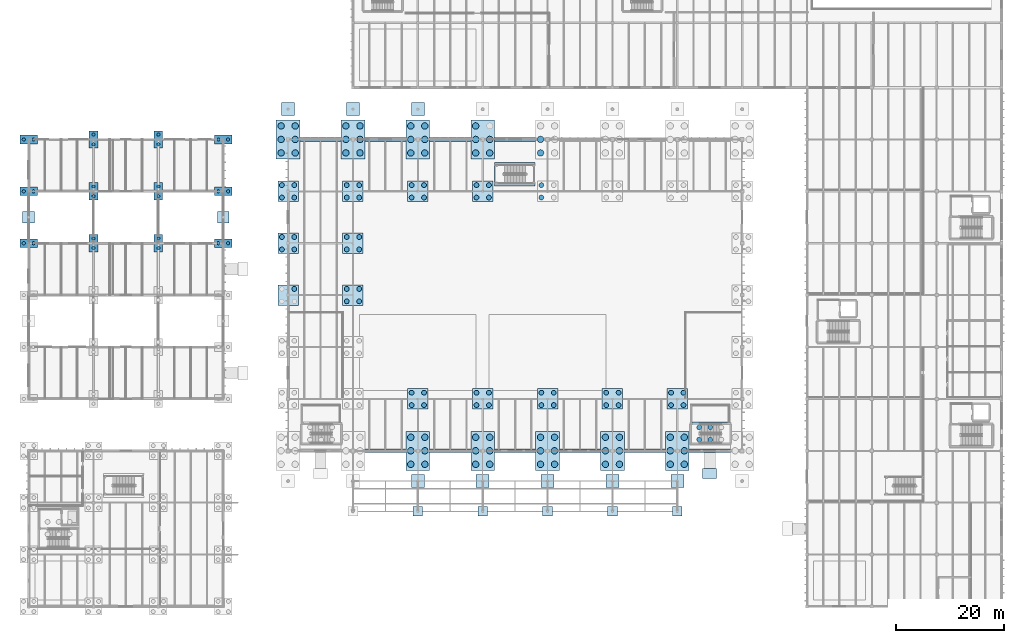
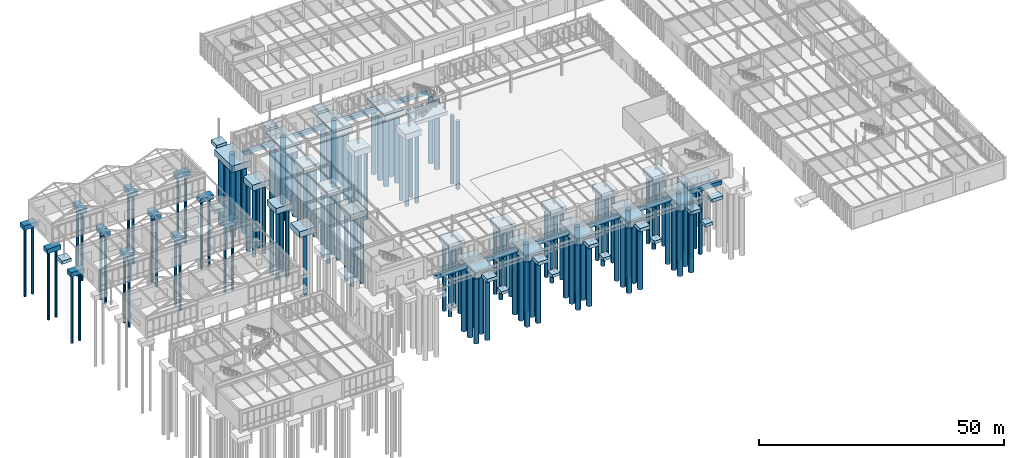
# One storey, part 2 of 188: 134 piles, 62 footings.
"""IFC4 building model written with IfcOpenShell, lengths in metres."""

from ifc_helpers import new_model, si_unit, direction, frame, origin, origin_2d, place, context, subcontext, project, spatial, rectangle, circle, extrude, material, material_profile, profile_set, type_object, element, save


model = new_model("IFC4")

# Units and contexts
model_context = context("Model", 3, precision=1e-05, world=origin(), true_north=direction((0.0, 1.0)))
body_context = subcontext(model_context, "Body", "Model", "MODEL_VIEW")
ifc_project = project(units=[si_unit("LENGTHUNIT", "METRE"), si_unit("AREAUNIT", "SQUARE_METRE"), si_unit("VOLUMEUNIT", "CUBIC_METRE"), si_unit("PLANEANGLEUNIT", "RADIAN"), si_unit("MASSUNIT", "GRAM", prefix="KILO")], contexts=[model_context])

# Site, building, storey
site_placement = place(None, origin())
site = spatial("IfcSite", under=ifc_project, at=site_placement, CompositionType="ELEMENT")
building_placement = place(site_placement, origin())
building = spatial("IfcBuilding", under=site, at=building_placement, Name="Pandanus Reach Market Hall", CompositionType="ELEMENT")
storey_placement = place(building_placement, origin())
storey = spatial("IfcBuildingStorey", under=building, at=storey_placement, Name="L00", CompositionType="ELEMENT", Elevation=0.0)

# Footings
ifc_material = material(Name="Concrete N40 (40 MPa)", Category="concrete")
footing_type_1 = type_object("IfcFootingType", Name="FB-03", PredefinedType="FOOTING_BEAM", material=ifc_material)
for number, where, z_axis, x_axis, name in (
    (1, (66.0, 28.800048828125, -1.25), (0.0, 0.0, 1.0), (1.0, 0.0, 0.0), "Ground tie beam FB-03 22"),
    (2, (78.0, 28.800048828125, -1.25), (0.0, 0.0, 1.0), (1.0, 0.0, 0.0), "Ground tie beam FB-03 23"),
    (3, (90.0, 28.800048828125, -1.25), (0.0, 0.0, 1.0), (1.0, 0.0, 0.0), "Ground tie beam FB-03 24"),
    (4, (102.0, 28.800048828125, -1.25), (0.0, 0.0, 1.0), (1.0, 0.0, 0.0), "Ground tie beam FB-03 25"),
    (5, (114.0, 28.800048828125, -1.25), (0.0, 0.0, 1.0), (1.0, 0.0, 0.0), "Ground tie beam FB-03 26"),
    (6, (126.0, 28.800048828125, -1.25), (0.0, 0.0, 1.0), (1.0, 0.0, 0.0), "Ground tie beam FB-03 27"),
    (7, (54.0, 86.39990234375, -1.25), (0.0, 0.0, 1.0), (1.0, 0.0, 0.0), "Ground tie beam FB-03 28"),
    (8, (66.0, 86.39990234375, -1.25), (0.0, 0.0, 1.0), (1.0, 0.0, 0.0), "Ground tie beam FB-03 29"),
    (9, (78.0, 86.39990234375, -1.25), (0.0, 0.0, 1.0), (1.0, 0.0, 0.0), "Ground tie beam FB-03 30"),
    (10, (90.0, 86.39990234375, -1.25), (0.0, 0.0, 1.0), (1.0, 0.0, 0.0), "Ground tie beam FB-03 31"),
):
    element("IfcFooting", number, at=place(storey_placement, frame(where, z_axis=z_axis, x_axis=x_axis)), inside=storey, type_object=footing_type_1, Name=name, PredefinedType="FOOTING_BEAM", context=body_context, shape_type="SweptSolid", body=[
        extrude(rectangle(XDim=7.60009765625, YDim=0.699951171875, at=origin_2d()), origin(), (0.0, 0.0, 1.0), 0.949951171875),
    ])
footing_type_2 = type_object("IfcFootingType", Name="PC-07", PredefinedType="PILE_CAP", material=ifc_material)
for number, where, z_axis, x_axis, name in (
    (11, (48.0, 86.39990234375, -1.900146484375), (0.0, 0.0, 1.0), (1.0, 0.0, 0.0), "Pile cap PC-07 at V1A-48-864"),
    (12, (60.0, 86.39990234375, -1.900146484375), (0.0, 0.0, 1.0), (1.0, 0.0, 0.0), "Pile cap PC-07 at V1A-60-864"),
    (13, (72.0, 28.800048828125, -1.900146484375), (0.0, 0.0, 1.0), (1.0, 0.0, 0.0), "Pile cap PC-07 at V1A-72-288"),
    (14, (72.0, 86.39990234375, -1.900146484375), (0.0, 0.0, 1.0), (1.0, 0.0, 0.0), "Pile cap PC-07 at V1A-72-864"),
    (15, (84.0, 28.800048828125, -1.900146484375), (0.0, 0.0, 1.0), (1.0, 0.0, 0.0), "Pile cap PC-07 at V1A-84-288"),
    (16, (84.0, 86.39990234375, -1.900146484375), (0.0, 0.0, 1.0), (1.0, 0.0, 0.0), "Pile cap PC-07 at V1A-84-864"),
    (17, (96.0, 28.800048828125, -1.900146484375), (0.0, 0.0, 1.0), (1.0, 0.0, 0.0), "Pile cap PC-07 at V1A-96-288"),
    (18, (108.0, 28.800048828125, -1.900146484375), (0.0, 0.0, 1.0), (1.0, 0.0, 0.0), "Pile cap PC-07 at V1A-108-288"),
    (19, (120.0, 28.800048828125, -1.900146484375), (0.0, 0.0, 1.0), (1.0, 0.0, 0.0), "Pile cap PC-07 at V1A-120-288"),
):
    element("IfcFooting", number, at=place(storey_placement, frame(where, z_axis=z_axis, x_axis=x_axis)), inside=storey, type_object=footing_type_2, Name=name, PredefinedType="PILE_CAP", context=body_context, shape_type="SweptSolid", body=[
        extrude(rectangle(XDim=4.39990234375, YDim=7.199951171875, at=origin_2d()), origin(), (0.0, 0.0, 1.0), 1.60009765625),
    ])
footing_type_3 = type_object("IfcFootingType", Name="PC-08", PredefinedType="PILE_CAP", material=ifc_material)
for number, where, z_axis, x_axis, name in (
    (20, (48.0, 76.800048828125, -1.75), (0.0, 0.0, 1.0), (1.0, 0.0, 0.0), "Pile cap PC-08 at V1M-48-768"),
    (21, (60.0, 76.800048828125, -1.75), (0.0, 0.0, 1.0), (1.0, 0.0, 0.0), "Pile cap PC-08 at V1M-60-768"),
    (22, (72.0, 38.39990234375, -1.75), (0.0, 0.0, 1.0), (1.0, 0.0, 0.0), "Pile cap PC-08 at V1M-72-384"),
    (23, (72.0, 76.800048828125, -1.75), (0.0, 0.0, 1.0), (1.0, 0.0, 0.0), "Pile cap PC-08 at V1M-72-768"),
    (24, (84.0, 38.39990234375, -1.75), (0.0, 0.0, 1.0), (1.0, 0.0, 0.0), "Pile cap PC-08 at V1M-84-384"),
    (25, (84.0, 76.800048828125, -1.75), (0.0, 0.0, 1.0), (1.0, 0.0, 0.0), "Pile cap PC-08 at V1M-84-768"),
    (26, (96.0, 38.39990234375, -1.75), (0.0, 0.0, 1.0), (1.0, 0.0, 0.0), "Pile cap PC-08 at V1M-96-384"),
    (27, (108.0, 38.39990234375, -1.75), (0.0, 0.0, 1.0), (1.0, 0.0, 0.0), "Pile cap PC-08 at V1M-108-384"),
    (28, (120.0, 38.39990234375, -1.75), (0.0, 0.0, 1.0), (1.0, 0.0, 0.0), "Pile cap PC-08 at V1M-120-384"),
    (29, (48.0, 57.60009765625, -1.75), (0.0, 0.0, 1.0), (1.0, 0.0, 0.0), "Pile cap PC-08 at V1G-48-576"),
    (30, (60.0, 57.60009765625, -1.75), (0.0, 0.0, 1.0), (1.0, 0.0, 0.0), "Pile cap PC-08 at V1G-60-576"),
    (31, (48.0, 67.199951171875, -1.75), (0.0, 0.0, 1.0), (1.0, 0.0, 0.0), "Pile cap PC-08 at V1G-48-672"),
    (32, (60.0, 67.199951171875, -1.75), (0.0, 0.0, 1.0), (1.0, 0.0, 0.0), "Pile cap PC-08 at V1G-60-672"),
):
    element("IfcFooting", number, at=place(storey_placement, frame(where, z_axis=z_axis, x_axis=x_axis)), inside=storey, type_object=footing_type_3, Name=name, PredefinedType="PILE_CAP", context=body_context, shape_type="SweptSolid", body=[
        extrude(rectangle(XDim=3.800048828125, YDim=3.800048828125, at=origin_2d()), origin(), (0.0, 0.0, 1.0), 1.449951171875),
    ])
footing_type_4 = type_object("IfcFootingType", Name="PC-10", PredefinedType="PILE_CAP", material=ifc_material)
for number, where, z_axis, x_axis, name in (
    (33, (0.0, 67.199951171875, -1.405029296875), (0.0, 0.0, 1.0), (1.0, 0.0, 0.0), "Pile cap PC-10 at V2-0-672"),
    (34, (36.0, 67.199951171875, -1.405029296875), (0.0, 0.0, 1.0), (1.0, 0.0, 0.0), "Pile cap PC-10 at V2-36-672"),
    (35, (0.0, 76.800048828125, -1.405029296875), (0.0, 0.0, 1.0), (1.0, 0.0, 0.0), "Pile cap PC-10 at V2-0-768"),
    (36, (36.0, 76.800048828125, -1.405029296875), (0.0, 0.0, 1.0), (1.0, 0.0, 0.0), "Pile cap PC-10 at V2-36-768"),
    (37, (0.0, 86.39990234375, -1.405029296875), (0.0, 0.0, 1.0), (1.0, 0.0, 0.0), "Pile cap PC-10 at V2-0-864"),
    (38, (36.0, 86.39990234375, -1.405029296875), (0.0, 0.0, 1.0), (1.0, 0.0, 0.0), "Pile cap PC-10 at V2-36-864"),
):
    element("IfcFooting", number, at=place(storey_placement, frame(where, z_axis=z_axis, x_axis=x_axis)), inside=storey, type_object=footing_type_4, Name=name, PredefinedType="PILE_CAP", context=body_context, shape_type="SweptSolid", body=[
        extrude(rectangle(XDim=3.199951171875, YDim=1.60009765625, at=origin_2d()), origin(), (0.0, 0.0, 1.0), 1.14990234375),
    ])
footing_type_5 = type_object("IfcFootingType", Name="PC-11", PredefinedType="PILE_CAP", material=ifc_material)
for number, where, z_axis, x_axis, name in (
    (39, (12.0, 67.199951171875, -1.405029296875), (0.0, 0.0, 1.0), (1.0, 0.0, 0.0), "Pile cap PC-11 at V2-12-672"),
    (40, (24.0, 67.199951171875, -1.405029296875), (0.0, 0.0, 1.0), (1.0, 0.0, 0.0), "Pile cap PC-11 at V2-24-672"),
    (41, (12.0, 76.800048828125, -1.405029296875), (0.0, 0.0, 1.0), (1.0, 0.0, 0.0), "Pile cap PC-11 at V2-12-768"),
    (42, (24.0, 76.800048828125, -1.405029296875), (0.0, 0.0, 1.0), (1.0, 0.0, 0.0), "Pile cap PC-11 at V2-24-768"),
    (43, (12.0, 86.39990234375, -1.405029296875), (0.0, 0.0, 1.0), (1.0, 0.0, 0.0), "Pile cap PC-11 at V2-12-864"),
    (44, (24.0, 86.39990234375, -1.405029296875), (0.0, 0.0, 1.0), (1.0, 0.0, 0.0), "Pile cap PC-11 at V2-24-864"),
):
    element("IfcFooting", number, at=place(storey_placement, frame(where, z_axis=z_axis, x_axis=x_axis)), inside=storey, type_object=footing_type_5, Name=name, PredefinedType="PILE_CAP", context=body_context, shape_type="SweptSolid", body=[
        extrude(rectangle(XDim=1.60009765625, YDim=3.199951171875, at=origin_2d()), origin(), (0.0, 0.0, 1.0), 1.14990234375),
    ])
footing_type_6 = type_object("IfcFootingType", Name="PC-12", PredefinedType="PILE_CAP", material=ifc_material)
footing_1_placement = place(storey_placement, frame((126.10009765625, 32.0, -1.800048828125), z_axis=(0.0, 0.0, 1.0), x_axis=(1.0, 0.0, 0.0)))
element("IfcFooting", 45, at=footing_1_placement, inside=storey, type_object=footing_type_6, Name="Core pile cap PC-12 C7", PredefinedType="PILE_CAP", context=body_context, shape_type="SweptSolid", body=[
    extrude(rectangle(XDim=7.199951171875, YDim=4.199951171875, at=origin_2d()), origin(), (0.0, 0.0, 1.0), 1.5),
])
footing_type_7 = type_object("IfcFootingType", Name="PD-01", PredefinedType="PAD_FOOTING", material=ifc_material)
for number, where, z_axis, x_axis, name in (
    (46, (72.0, 17.60009765625, -1.050048828125), (0.0, 0.0, 1.0), (1.0, 0.0, 0.0), "Pad footing PD-01 P18"),
    (47, (84.0, 17.60009765625, -1.050048828125), (0.0, 0.0, 1.0), (1.0, 0.0, 0.0), "Pad footing PD-01 P19"),
    (48, (96.0, 17.60009765625, -1.050048828125), (0.0, 0.0, 1.0), (1.0, 0.0, 0.0), "Pad footing PD-01 P20"),
    (49, (108.0, 17.60009765625, -1.050048828125), (0.0, 0.0, 1.0), (1.0, 0.0, 0.0), "Pad footing PD-01 P21"),
    (50, (120.0, 17.60009765625, -1.050048828125), (0.0, 0.0, 1.0), (1.0, 0.0, 0.0), "Pad footing PD-01 P22"),
):
    element("IfcFooting", number, at=place(storey_placement, frame(where, z_axis=z_axis, x_axis=x_axis)), inside=storey, type_object=footing_type_7, Name=name, PredefinedType="PAD_FOOTING", context=body_context, shape_type="SweptSolid", body=[
        extrude(rectangle(XDim=1.800048828125, YDim=1.800048828125, at=origin_2d()), origin(), (0.0, 0.0, 1.0), 0.75),
    ])
footing_type_8 = type_object("IfcFootingType", Name="PD-02", PredefinedType="PAD_FOOTING", material=ifc_material)
for number, where, z_axis, x_axis, name in (
    (51, (72.0, 23.199951171875, -1.150146484375), (0.0, 0.0, 1.0), (1.0, 0.0, 0.0), "Pad footing PD-02 P3"),
    (52, (84.0, 23.199951171875, -1.150146484375), (0.0, 0.0, 1.0), (1.0, 0.0, 0.0), "Pad footing PD-02 P4"),
    (53, (96.0, 23.199951171875, -1.150146484375), (0.0, 0.0, 1.0), (1.0, 0.0, 0.0), "Pad footing PD-02 P5"),
    (54, (108.0, 23.199951171875, -1.150146484375), (0.0, 0.0, 1.0), (1.0, 0.0, 0.0), "Pad footing PD-02 P6"),
    (55, (120.0, 23.199951171875, -1.150146484375), (0.0, 0.0, 1.0), (1.0, 0.0, 0.0), "Pad footing PD-02 P7"),
    (56, (48.0, 92.0, -1.150146484375), (0.0, 0.0, 1.0), (1.0, 0.0, 0.0), "Pad footing PD-02 P9"),
    (57, (60.0, 92.0, -1.150146484375), (0.0, 0.0, 1.0), (1.0, 0.0, 0.0), "Pad footing PD-02 P10"),
    (58, (72.0, 92.0, -1.150146484375), (0.0, 0.0, 1.0), (1.0, 0.0, 0.0), "Pad footing PD-02 P11"),
):
    element("IfcFooting", number, at=place(storey_placement, frame(where, z_axis=z_axis, x_axis=x_axis)), inside=storey, type_object=footing_type_8, Name=name, PredefinedType="PAD_FOOTING", context=body_context, shape_type="SweptSolid", body=[
        extrude(rectangle(XDim=2.39990234375, YDim=2.39990234375, at=origin_2d()), origin(), (0.0, 0.0, 1.0), 0.85009765625),
    ])
footing_type_9 = type_object("IfcFootingType", Name="PD-03", PredefinedType="PAD_FOOTING", material=ifc_material)
footing_2_placement = place(storey_placement, frame((126.0, 24.60009765625, -1.10009765625), z_axis=(0.0, 0.0, 1.0), x_axis=(1.0, 0.0, 0.0)))
element("IfcFooting", 59, at=footing_2_placement, inside=storey, type_object=footing_type_9, Name="Pedestrian ramp toe footing RP2", PredefinedType="PAD_FOOTING", context=body_context, shape_type="SweptSolid", body=[
    extrude(rectangle(XDim=2.60009765625, YDim=1.800048828125, at=origin_2d()), origin(), (0.0, 0.0, 1.0), 0.800048828125),
])
footing_type_10 = type_object("IfcFootingType", Name="PD-04", PredefinedType="PAD_FOOTING", material=ifc_material)
for number, where, z_axis, x_axis, name in (
    (60, (0.0, 72.0, -1.10009765625), (0.0, 0.0, 1.0), (1.0, 0.0, 0.0), "Pad footing PD-04 P25"),
    (61, (36.0, 72.0, -1.10009765625), (0.0, 0.0, 1.0), (1.0, 0.0, 0.0), "Pad footing PD-04 P26"),
):
    element("IfcFooting", number, at=place(storey_placement, frame(where, z_axis=z_axis, x_axis=x_axis)), inside=storey, type_object=footing_type_10, Name=name, PredefinedType="PAD_FOOTING", context=body_context, shape_type="SweptSolid", body=[
        extrude(rectangle(XDim=2.199951171875, YDim=2.199951171875, at=origin_2d()), origin(), (0.0, 0.0, 1.0), 0.800048828125),
    ])
footing_type_11 = type_object("IfcFootingType", Name="PD-05", PredefinedType="PAD_FOOTING", material=ifc_material)
footing_3_placement = place(storey_placement, frame((89.9599609375, 79.9599609375, -1.150146484375), z_axis=(0.0, 0.0, 1.0), x_axis=(1.0, 0.0, 0.0)))
element("IfcFooting", 62, at=footing_3_placement, inside=storey, type_object=footing_type_11, Name="Feature stair combined pad footing ST-09", PredefinedType="PAD_FOOTING", context=body_context, shape_type="SweptSolid", body=[
    extrude(rectangle(XDim=7.469970703125, YDim=4.39990234375, at=origin_2d()), origin(), (0.0, 0.0, 1.0), 0.85009765625),
])

# Piles
ifc_material_profile_1 = material_profile(ifc_material, circle(Radius=0.60009765625, at=origin_2d()), Name="PILE-1200D", Category="LoadBearing")
ifc_profile_set_1 = profile_set([ifc_material_profile_1], Name="Concrete N40 (40 MPa)")
pile_type_1 = type_object("IfcPileType", Name="PL-1200", PredefinedType="BORED", material=ifc_profile_set_1)
for number, where, z_axis, x_axis, name in (
    (63, (46.699951171875, 83.89990234375, -1.800048828125), (0.0, 0.0, -1.0), (1.0, 0.0, 0.0), "Bored pile PL-1200 V1A-48-864.1"),
    (64, (49.300048828125, 83.89990234375, -1.800048828125), (0.0, 0.0, -1.0), (1.0, 0.0, 0.0), "Bored pile PL-1200 V1A-48-864.2"),
    (65, (46.699951171875, 86.39990234375, -1.800048828125), (0.0, 0.0, -1.0), (1.0, 0.0, 0.0), "Bored pile PL-1200 V1A-48-864.3"),
    (66, (49.300048828125, 86.39990234375, -1.800048828125), (0.0, 0.0, -1.0), (1.0, 0.0, 0.0), "Bored pile PL-1200 V1A-48-864.4"),
    (67, (46.699951171875, 88.89990234375, -1.800048828125), (0.0, 0.0, -1.0), (1.0, 0.0, 0.0), "Bored pile PL-1200 V1A-48-864.5"),
    (68, (49.300048828125, 88.89990234375, -1.800048828125), (0.0, 0.0, -1.0), (1.0, 0.0, 0.0), "Bored pile PL-1200 V1A-48-864.6"),
    (69, (58.699951171875, 83.89990234375, -1.800048828125), (0.0, 0.0, -1.0), (1.0, 0.0, 0.0), "Bored pile PL-1200 V1A-60-864.1"),
    (70, (61.300048828125, 83.89990234375, -1.800048828125), (0.0, 0.0, -1.0), (1.0, 0.0, 0.0), "Bored pile PL-1200 V1A-60-864.2"),
    (71, (58.699951171875, 86.39990234375, -1.800048828125), (0.0, 0.0, -1.0), (1.0, 0.0, 0.0), "Bored pile PL-1200 V1A-60-864.3"),
    (72, (61.300048828125, 86.39990234375, -1.800048828125), (0.0, 0.0, -1.0), (1.0, 0.0, 0.0), "Bored pile PL-1200 V1A-60-864.4"),
    (73, (58.699951171875, 88.89990234375, -1.800048828125), (0.0, 0.0, -1.0), (1.0, 0.0, 0.0), "Bored pile PL-1200 V1A-60-864.5"),
    (74, (61.300048828125, 88.89990234375, -1.800048828125), (0.0, 0.0, -1.0), (1.0, 0.0, 0.0), "Bored pile PL-1200 V1A-60-864.6"),
    (75, (70.699951171875, 26.300048828125, -1.800048828125), (0.0, 0.0, -1.0), (1.0, 0.0, 0.0), "Bored pile PL-1200 V1A-72-288.1"),
    (76, (73.300048828125, 26.300048828125, -1.800048828125), (0.0, 0.0, -1.0), (1.0, 0.0, 0.0), "Bored pile PL-1200 V1A-72-288.2"),
    (77, (70.699951171875, 28.800048828125, -1.800048828125), (0.0, 0.0, -1.0), (1.0, 0.0, 0.0), "Bored pile PL-1200 V1A-72-288.3"),
    (78, (73.300048828125, 28.800048828125, -1.800048828125), (0.0, 0.0, -1.0), (1.0, 0.0, 0.0), "Bored pile PL-1200 V1A-72-288.4"),
    (79, (70.699951171875, 31.300048828125, -1.800048828125), (0.0, 0.0, -1.0), (1.0, 0.0, 0.0), "Bored pile PL-1200 V1A-72-288.5"),
    (80, (73.300048828125, 31.300048828125, -1.800048828125), (0.0, 0.0, -1.0), (1.0, 0.0, 0.0), "Bored pile PL-1200 V1A-72-288.6"),
    (81, (70.699951171875, 83.89990234375, -1.800048828125), (0.0, 0.0, -1.0), (1.0, 0.0, 0.0), "Bored pile PL-1200 V1A-72-864.1"),
    (82, (73.300048828125, 83.89990234375, -1.800048828125), (0.0, 0.0, -1.0), (1.0, 0.0, 0.0), "Bored pile PL-1200 V1A-72-864.2"),
    (83, (70.699951171875, 86.39990234375, -1.800048828125), (0.0, 0.0, -1.0), (1.0, 0.0, 0.0), "Bored pile PL-1200 V1A-72-864.3"),
    (84, (73.300048828125, 86.39990234375, -1.800048828125), (0.0, 0.0, -1.0), (1.0, 0.0, 0.0), "Bored pile PL-1200 V1A-72-864.4"),
    (85, (70.699951171875, 88.89990234375, -1.800048828125), (0.0, 0.0, -1.0), (1.0, 0.0, 0.0), "Bored pile PL-1200 V1A-72-864.5"),
    (86, (73.300048828125, 88.89990234375, -1.800048828125), (0.0, 0.0, -1.0), (1.0, 0.0, 0.0), "Bored pile PL-1200 V1A-72-864.6"),
    (87, (82.699951171875, 26.300048828125, -1.800048828125), (0.0, 0.0, -1.0), (1.0, 0.0, 0.0), "Bored pile PL-1200 V1A-84-288.1"),
    (88, (85.300048828125, 26.300048828125, -1.800048828125), (0.0, 0.0, -1.0), (1.0, 0.0, 0.0), "Bored pile PL-1200 V1A-84-288.2"),
    (89, (82.699951171875, 28.800048828125, -1.800048828125), (0.0, 0.0, -1.0), (1.0, 0.0, 0.0), "Bored pile PL-1200 V1A-84-288.3"),
    (90, (85.300048828125, 28.800048828125, -1.800048828125), (0.0, 0.0, -1.0), (1.0, 0.0, 0.0), "Bored pile PL-1200 V1A-84-288.4"),
    (91, (82.699951171875, 31.300048828125, -1.800048828125), (0.0, 0.0, -1.0), (1.0, 0.0, 0.0), "Bored pile PL-1200 V1A-84-288.5"),
    (92, (85.300048828125, 31.300048828125, -1.800048828125), (0.0, 0.0, -1.0), (1.0, 0.0, 0.0), "Bored pile PL-1200 V1A-84-288.6"),
    (93, (82.699951171875, 83.89990234375, -1.800048828125), (0.0, 0.0, -1.0), (1.0, 0.0, 0.0), "Bored pile PL-1200 V1A-84-864.1"),
    (94, (85.300048828125, 83.89990234375, -1.800048828125), (0.0, 0.0, -1.0), (1.0, 0.0, 0.0), "Bored pile PL-1200 V1A-84-864.2"),
    (95, (82.699951171875, 86.39990234375, -1.800048828125), (0.0, 0.0, -1.0), (1.0, 0.0, 0.0), "Bored pile PL-1200 V1A-84-864.3"),
    (96, (85.300048828125, 86.39990234375, -1.800048828125), (0.0, 0.0, -1.0), (1.0, 0.0, 0.0), "Bored pile PL-1200 V1A-84-864.4"),
    (97, (82.699951171875, 88.89990234375, -1.800048828125), (0.0, 0.0, -1.0), (1.0, 0.0, 0.0), "Bored pile PL-1200 V1A-84-864.5"),
    (98, (94.699951171875, 26.300048828125, -1.800048828125), (0.0, 0.0, -1.0), (1.0, 0.0, 0.0), "Bored pile PL-1200 V1A-96-288.1"),
    (99, (97.300048828125, 26.300048828125, -1.800048828125), (0.0, 0.0, -1.0), (1.0, 0.0, 0.0), "Bored pile PL-1200 V1A-96-288.2"),
    (100, (94.699951171875, 28.800048828125, -1.800048828125), (0.0, 0.0, -1.0), (1.0, 0.0, 0.0), "Bored pile PL-1200 V1A-96-288.3"),
    (101, (97.300048828125, 28.800048828125, -1.800048828125), (0.0, 0.0, -1.0), (1.0, 0.0, 0.0), "Bored pile PL-1200 V1A-96-288.4"),
    (102, (94.699951171875, 31.300048828125, -1.800048828125), (0.0, 0.0, -1.0), (1.0, 0.0, 0.0), "Bored pile PL-1200 V1A-96-288.5"),
    (103, (97.300048828125, 31.300048828125, -1.800048828125), (0.0, 0.0, -1.0), (1.0, 0.0, 0.0), "Bored pile PL-1200 V1A-96-288.6"),
    (104, (94.699951171875, 83.89990234375, -1.800048828125), (0.0, 0.0, -1.0), (1.0, 0.0, 0.0), "Bored pile PL-1200 V1A-96-864.1"),
    (105, (94.699951171875, 86.39990234375, -1.800048828125), (0.0, 0.0, -1.0), (1.0, 0.0, 0.0), "Bored pile PL-1200 V1A-96-864.3"),
    (106, (106.699951171875, 26.300048828125, -1.800048828125), (0.0, 0.0, -1.0), (1.0, 0.0, 0.0), "Bored pile PL-1200 V1A-108-288.1"),
    (107, (109.300048828125, 26.300048828125, -1.800048828125), (0.0, 0.0, -1.0), (1.0, 0.0, 0.0), "Bored pile PL-1200 V1A-108-288.2"),
    (108, (106.699951171875, 28.800048828125, -1.800048828125), (0.0, 0.0, -1.0), (1.0, 0.0, 0.0), "Bored pile PL-1200 V1A-108-288.3"),
    (109, (109.300048828125, 28.800048828125, -1.800048828125), (0.0, 0.0, -1.0), (1.0, 0.0, 0.0), "Bored pile PL-1200 V1A-108-288.4"),
    (110, (106.699951171875, 31.300048828125, -1.800048828125), (0.0, 0.0, -1.0), (1.0, 0.0, 0.0), "Bored pile PL-1200 V1A-108-288.5"),
    (111, (109.300048828125, 31.300048828125, -1.800048828125), (0.0, 0.0, -1.0), (1.0, 0.0, 0.0), "Bored pile PL-1200 V1A-108-288.6"),
    (112, (118.699951171875, 26.300048828125, -1.800048828125), (0.0, 0.0, -1.0), (1.0, 0.0, 0.0), "Bored pile PL-1200 V1A-120-288.1"),
    (113, (121.300048828125, 26.300048828125, -1.800048828125), (0.0, 0.0, -1.0), (1.0, 0.0, 0.0), "Bored pile PL-1200 V1A-120-288.2"),
    (114, (118.699951171875, 28.800048828125, -1.800048828125), (0.0, 0.0, -1.0), (1.0, 0.0, 0.0), "Bored pile PL-1200 V1A-120-288.3"),
    (115, (121.300048828125, 28.800048828125, -1.800048828125), (0.0, 0.0, -1.0), (1.0, 0.0, 0.0), "Bored pile PL-1200 V1A-120-288.4"),
    (116, (118.699951171875, 31.300048828125, -1.800048828125), (0.0, 0.0, -1.0), (1.0, 0.0, 0.0), "Bored pile PL-1200 V1A-120-288.5"),
    (117, (121.300048828125, 31.300048828125, -1.800048828125), (0.0, 0.0, -1.0), (1.0, 0.0, 0.0), "Bored pile PL-1200 V1A-120-288.6"),
):
    element("IfcPile", number, at=place(storey_placement, frame(where, z_axis=z_axis, x_axis=x_axis)), inside=storey, type_object=pile_type_1, Name=name, PredefinedType="BORED", context=body_context, shape_type="SweptSolid", body=[
        extrude(circle(Radius=0.60009765625, at=origin_2d()), origin(), (0.0, 0.0, 1.0), 16.800048828125),
    ])
ifc_material_profile_2 = material_profile(ifc_material, circle(Radius=0.300048828125, at=origin_2d()), Name="PILE-600D", Category="LoadBearing")
ifc_profile_set_2 = profile_set([ifc_material_profile_2], Name="Concrete N40 (40 MPa)")
pile_type_2 = type_object("IfcPileType", Name="PL-600", PredefinedType="BORED", material=ifc_profile_set_2)
for number, where, z_axis, x_axis, name in (
    (118, (-0.89990234375, 67.199951171875, -1.304931640625), (0.0, 0.0, -1.0), (1.0, 0.0, 0.0), "Bored pile PL-600 V2-0-672.1"),
    (119, (0.89990234375, 67.199951171875, -1.304931640625), (0.0, 0.0, -1.0), (1.0, 0.0, 0.0), "Bored pile PL-600 V2-0-672.2"),
    (120, (12.0, 66.300048828125, -1.304931640625), (0.0, 0.0, -1.0), (1.0, 0.0, 0.0), "Bored pile PL-600 V2-12-672.1"),
    (121, (12.0, 68.10009765625, -1.304931640625), (0.0, 0.0, -1.0), (1.0, 0.0, 0.0), "Bored pile PL-600 V2-12-672.2"),
    (122, (24.0, 66.300048828125, -1.304931640625), (0.0, 0.0, -1.0), (1.0, 0.0, 0.0), "Bored pile PL-600 V2-24-672.1"),
    (123, (24.0, 68.10009765625, -1.304931640625), (0.0, 0.0, -1.0), (1.0, 0.0, 0.0), "Bored pile PL-600 V2-24-672.2"),
    (124, (35.10009765625, 67.199951171875, -1.304931640625), (0.0, 0.0, -1.0), (1.0, 0.0, 0.0), "Bored pile PL-600 V2-36-672.1"),
    (125, (36.89990234375, 67.199951171875, -1.304931640625), (0.0, 0.0, -1.0), (1.0, 0.0, 0.0), "Bored pile PL-600 V2-36-672.2"),
    (126, (-0.89990234375, 76.800048828125, -1.304931640625), (0.0, 0.0, -1.0), (1.0, 0.0, 0.0), "Bored pile PL-600 V2-0-768.1"),
    (127, (0.89990234375, 76.800048828125, -1.304931640625), (0.0, 0.0, -1.0), (1.0, 0.0, 0.0), "Bored pile PL-600 V2-0-768.2"),
    (128, (12.0, 75.89990234375, -1.304931640625), (0.0, 0.0, -1.0), (1.0, 0.0, 0.0), "Bored pile PL-600 V2-12-768.1"),
    (129, (12.0, 77.699951171875, -1.304931640625), (0.0, 0.0, -1.0), (1.0, 0.0, 0.0), "Bored pile PL-600 V2-12-768.2"),
    (130, (24.0, 75.89990234375, -1.304931640625), (0.0, 0.0, -1.0), (1.0, 0.0, 0.0), "Bored pile PL-600 V2-24-768.1"),
    (131, (24.0, 77.699951171875, -1.304931640625), (0.0, 0.0, -1.0), (1.0, 0.0, 0.0), "Bored pile PL-600 V2-24-768.2"),
    (132, (35.10009765625, 76.800048828125, -1.304931640625), (0.0, 0.0, -1.0), (1.0, 0.0, 0.0), "Bored pile PL-600 V2-36-768.1"),
    (133, (36.89990234375, 76.800048828125, -1.304931640625), (0.0, 0.0, -1.0), (1.0, 0.0, 0.0), "Bored pile PL-600 V2-36-768.2"),
    (134, (-0.89990234375, 86.39990234375, -1.304931640625), (0.0, 0.0, -1.0), (1.0, 0.0, 0.0), "Bored pile PL-600 V2-0-864.1"),
    (135, (0.89990234375, 86.39990234375, -1.304931640625), (0.0, 0.0, -1.0), (1.0, 0.0, 0.0), "Bored pile PL-600 V2-0-864.2"),
    (136, (12.0, 85.5, -1.304931640625), (0.0, 0.0, -1.0), (1.0, 0.0, 0.0), "Bored pile PL-600 V2-12-864.1"),
    (137, (12.0, 87.300048828125, -1.304931640625), (0.0, 0.0, -1.0), (1.0, 0.0, 0.0), "Bored pile PL-600 V2-12-864.2"),
    (138, (24.0, 85.5, -1.304931640625), (0.0, 0.0, -1.0), (1.0, 0.0, 0.0), "Bored pile PL-600 V2-24-864.1"),
    (139, (24.0, 87.300048828125, -1.304931640625), (0.0, 0.0, -1.0), (1.0, 0.0, 0.0), "Bored pile PL-600 V2-24-864.2"),
    (140, (35.10009765625, 86.39990234375, -1.304931640625), (0.0, 0.0, -1.0), (1.0, 0.0, 0.0), "Bored pile PL-600 V2-36-864.1"),
    (141, (36.89990234375, 86.39990234375, -1.304931640625), (0.0, 0.0, -1.0), (1.0, 0.0, 0.0), "Bored pile PL-600 V2-36-864.2"),
):
    element("IfcPile", number, at=place(storey_placement, frame(where, z_axis=z_axis, x_axis=x_axis)), inside=storey, type_object=pile_type_2, Name=name, PredefinedType="BORED", context=body_context, shape_type="SweptSolid", body=[
        extrude(circle(Radius=0.300048828125, at=origin_2d()), origin(), (0.0, 0.0, 1.0), 17.10009765625),
    ])
ifc_material_profile_3 = material_profile(ifc_material, circle(Radius=0.449951171875, at=origin_2d()), Name="PILE-900D", Category="LoadBearing")
ifc_profile_set_3 = profile_set([ifc_material_profile_3], Name="Concrete N40 (40 MPa)")
pile_type_3 = type_object("IfcPileType", Name="PL-900", PredefinedType="BORED", material=ifc_profile_set_3)
for number, where, z_axis, x_axis, name in (
    (142, (46.85009765625, 75.64990234375, -1.64990234375), (0.0, 0.0, -1.0), (1.0, 0.0, 0.0), "Bored pile PL-900 V1M-48-768.1"),
    (143, (46.85009765625, 77.949951171875, -1.64990234375), (0.0, 0.0, -1.0), (1.0, 0.0, 0.0), "Bored pile PL-900 V1M-48-768.2"),
    (144, (49.14990234375, 75.64990234375, -1.64990234375), (0.0, 0.0, -1.0), (1.0, 0.0, 0.0), "Bored pile PL-900 V1M-48-768.3"),
    (145, (49.14990234375, 77.949951171875, -1.64990234375), (0.0, 0.0, -1.0), (1.0, 0.0, 0.0), "Bored pile PL-900 V1M-48-768.4"),
    (146, (58.85009765625, 75.64990234375, -1.64990234375), (0.0, 0.0, -1.0), (1.0, 0.0, 0.0), "Bored pile PL-900 V1M-60-768.1"),
    (147, (58.85009765625, 77.949951171875, -1.64990234375), (0.0, 0.0, -1.0), (1.0, 0.0, 0.0), "Bored pile PL-900 V1M-60-768.2"),
    (148, (61.14990234375, 75.64990234375, -1.64990234375), (0.0, 0.0, -1.0), (1.0, 0.0, 0.0), "Bored pile PL-900 V1M-60-768.3"),
    (149, (61.14990234375, 77.949951171875, -1.64990234375), (0.0, 0.0, -1.0), (1.0, 0.0, 0.0), "Bored pile PL-900 V1M-60-768.4"),
    (150, (70.85009765625, 37.25, -1.64990234375), (0.0, 0.0, -1.0), (1.0, 0.0, 0.0), "Bored pile PL-900 V1M-72-384.1"),
    (151, (70.85009765625, 39.550048828125, -1.64990234375), (0.0, 0.0, -1.0), (1.0, 0.0, 0.0), "Bored pile PL-900 V1M-72-384.2"),
    (152, (73.14990234375, 37.25, -1.64990234375), (0.0, 0.0, -1.0), (1.0, 0.0, 0.0), "Bored pile PL-900 V1M-72-384.3"),
    (153, (73.14990234375, 39.550048828125, -1.64990234375), (0.0, 0.0, -1.0), (1.0, 0.0, 0.0), "Bored pile PL-900 V1M-72-384.4"),
    (154, (70.85009765625, 75.64990234375, -1.64990234375), (0.0, 0.0, -1.0), (1.0, 0.0, 0.0), "Bored pile PL-900 V1M-72-768.1"),
    (155, (70.85009765625, 77.949951171875, -1.64990234375), (0.0, 0.0, -1.0), (1.0, 0.0, 0.0), "Bored pile PL-900 V1M-72-768.2"),
    (156, (73.14990234375, 75.64990234375, -1.64990234375), (0.0, 0.0, -1.0), (1.0, 0.0, 0.0), "Bored pile PL-900 V1M-72-768.3"),
    (157, (73.14990234375, 77.949951171875, -1.64990234375), (0.0, 0.0, -1.0), (1.0, 0.0, 0.0), "Bored pile PL-900 V1M-72-768.4"),
    (158, (82.85009765625, 37.25, -1.64990234375), (0.0, 0.0, -1.0), (1.0, 0.0, 0.0), "Bored pile PL-900 V1M-84-384.1"),
    (159, (82.85009765625, 39.550048828125, -1.64990234375), (0.0, 0.0, -1.0), (1.0, 0.0, 0.0), "Bored pile PL-900 V1M-84-384.2"),
    (160, (85.14990234375, 37.25, -1.64990234375), (0.0, 0.0, -1.0), (1.0, 0.0, 0.0), "Bored pile PL-900 V1M-84-384.3"),
    (161, (85.14990234375, 39.550048828125, -1.64990234375), (0.0, 0.0, -1.0), (1.0, 0.0, 0.0), "Bored pile PL-900 V1M-84-384.4"),
    (162, (82.85009765625, 75.64990234375, -1.64990234375), (0.0, 0.0, -1.0), (1.0, 0.0, 0.0), "Bored pile PL-900 V1M-84-768.1"),
    (163, (82.85009765625, 77.949951171875, -1.64990234375), (0.0, 0.0, -1.0), (1.0, 0.0, 0.0), "Bored pile PL-900 V1M-84-768.2"),
    (164, (85.14990234375, 75.64990234375, -1.64990234375), (0.0, 0.0, -1.0), (1.0, 0.0, 0.0), "Bored pile PL-900 V1M-84-768.3"),
    (165, (85.14990234375, 77.949951171875, -1.64990234375), (0.0, 0.0, -1.0), (1.0, 0.0, 0.0), "Bored pile PL-900 V1M-84-768.4"),
    (166, (94.85009765625, 37.25, -1.64990234375), (0.0, 0.0, -1.0), (1.0, 0.0, 0.0), "Bored pile PL-900 V1M-96-384.1"),
    (167, (94.85009765625, 39.550048828125, -1.64990234375), (0.0, 0.0, -1.0), (1.0, 0.0, 0.0), "Bored pile PL-900 V1M-96-384.2"),
    (168, (97.14990234375, 37.25, -1.64990234375), (0.0, 0.0, -1.0), (1.0, 0.0, 0.0), "Bored pile PL-900 V1M-96-384.3"),
    (169, (97.14990234375, 39.550048828125, -1.64990234375), (0.0, 0.0, -1.0), (1.0, 0.0, 0.0), "Bored pile PL-900 V1M-96-384.4"),
    (170, (94.85009765625, 75.64990234375, -1.64990234375), (0.0, 0.0, -1.0), (1.0, 0.0, 0.0), "Bored pile PL-900 V1M-96-768.1"),
    (171, (94.85009765625, 77.949951171875, -1.64990234375), (0.0, 0.0, -1.0), (1.0, 0.0, 0.0), "Bored pile PL-900 V1M-96-768.2"),
    (172, (106.85009765625, 37.25, -1.64990234375), (0.0, 0.0, -1.0), (1.0, 0.0, 0.0), "Bored pile PL-900 V1M-108-384.1"),
    (173, (106.85009765625, 39.550048828125, -1.64990234375), (0.0, 0.0, -1.0), (1.0, 0.0, 0.0), "Bored pile PL-900 V1M-108-384.2"),
    (174, (109.14990234375, 37.25, -1.64990234375), (0.0, 0.0, -1.0), (1.0, 0.0, 0.0), "Bored pile PL-900 V1M-108-384.3"),
    (175, (109.14990234375, 39.550048828125, -1.64990234375), (0.0, 0.0, -1.0), (1.0, 0.0, 0.0), "Bored pile PL-900 V1M-108-384.4"),
    (176, (118.85009765625, 37.25, -1.64990234375), (0.0, 0.0, -1.0), (1.0, 0.0, 0.0), "Bored pile PL-900 V1M-120-384.1"),
    (177, (118.85009765625, 39.550048828125, -1.64990234375), (0.0, 0.0, -1.0), (1.0, 0.0, 0.0), "Bored pile PL-900 V1M-120-384.2"),
    (178, (121.14990234375, 37.25, -1.64990234375), (0.0, 0.0, -1.0), (1.0, 0.0, 0.0), "Bored pile PL-900 V1M-120-384.3"),
    (179, (121.14990234375, 39.550048828125, -1.64990234375), (0.0, 0.0, -1.0), (1.0, 0.0, 0.0), "Bored pile PL-900 V1M-120-384.4"),
    (180, (49.14990234375, 58.75, -1.64990234375), (0.0, 0.0, -1.0), (1.0, 0.0, 0.0), "Bored pile PL-900 V1G-48-576.4"),
    (181, (58.85009765625, 56.449951171875, -1.64990234375), (0.0, 0.0, -1.0), (1.0, 0.0, 0.0), "Bored pile PL-900 V1G-60-576.1"),
    (182, (58.85009765625, 58.75, -1.64990234375), (0.0, 0.0, -1.0), (1.0, 0.0, 0.0), "Bored pile PL-900 V1G-60-576.2"),
    (183, (61.14990234375, 56.449951171875, -1.64990234375), (0.0, 0.0, -1.0), (1.0, 0.0, 0.0), "Bored pile PL-900 V1G-60-576.3"),
    (184, (61.14990234375, 58.75, -1.64990234375), (0.0, 0.0, -1.0), (1.0, 0.0, 0.0), "Bored pile PL-900 V1G-60-576.4"),
    (185, (46.85009765625, 66.050048828125, -1.64990234375), (0.0, 0.0, -1.0), (1.0, 0.0, 0.0), "Bored pile PL-900 V1G-48-672.1"),
    (186, (46.85009765625, 68.35009765625, -1.64990234375), (0.0, 0.0, -1.0), (1.0, 0.0, 0.0), "Bored pile PL-900 V1G-48-672.2"),
    (187, (49.14990234375, 66.050048828125, -1.64990234375), (0.0, 0.0, -1.0), (1.0, 0.0, 0.0), "Bored pile PL-900 V1G-48-672.3"),
    (188, (49.14990234375, 68.35009765625, -1.64990234375), (0.0, 0.0, -1.0), (1.0, 0.0, 0.0), "Bored pile PL-900 V1G-48-672.4"),
    (189, (58.85009765625, 66.050048828125, -1.64990234375), (0.0, 0.0, -1.0), (1.0, 0.0, 0.0), "Bored pile PL-900 V1G-60-672.1"),
    (190, (58.85009765625, 68.35009765625, -1.64990234375), (0.0, 0.0, -1.0), (1.0, 0.0, 0.0), "Bored pile PL-900 V1G-60-672.2"),
    (191, (61.14990234375, 66.050048828125, -1.64990234375), (0.0, 0.0, -1.0), (1.0, 0.0, 0.0), "Bored pile PL-900 V1G-60-672.3"),
    (192, (61.14990234375, 68.35009765625, -1.64990234375), (0.0, 0.0, -1.0), (1.0, 0.0, 0.0), "Bored pile PL-900 V1G-60-672.4"),
):
    element("IfcPile", number, at=place(storey_placement, frame(where, z_axis=z_axis, x_axis=x_axis)), inside=storey, type_object=pile_type_3, Name=name, PredefinedType="BORED", context=body_context, shape_type="SweptSolid", body=[
        extrude(circle(Radius=0.449951171875, at=origin_2d()), origin(), (0.0, 0.0, 1.0), 17.0),
    ])
for number, where, z_axis, x_axis, name in (
    (193, (124.050048828125, 30.85009765625, -1.699951171875), (0.0, 0.0, -1.0), (1.0, 0.0, 0.0), "Core bored pile PL-900 C7.1"),
    (194, (126.10009765625, 30.85009765625, -1.699951171875), (0.0, 0.0, -1.0), (1.0, 0.0, 0.0), "Core bored pile PL-900 C7.2"),
    (195, (124.050048828125, 33.14990234375, -1.699951171875), (0.0, 0.0, -1.0), (1.0, 0.0, 0.0), "Core bored pile PL-900 C7.4"),
    (196, (126.10009765625, 33.14990234375, -1.699951171875), (0.0, 0.0, -1.0), (1.0, 0.0, 0.0), "Core bored pile PL-900 C7.5"),
):
    element("IfcPile", number, at=place(storey_placement, frame(where, z_axis=z_axis, x_axis=x_axis)), inside=storey, type_object=pile_type_3, Name=name, PredefinedType="BORED", context=body_context, shape_type="SweptSolid", body=[
        extrude(circle(Radius=0.449951171875, at=origin_2d()), origin(), (0.0, 0.0, 1.0), 16.89990234375),
    ])

save(model, "model.ifc")
